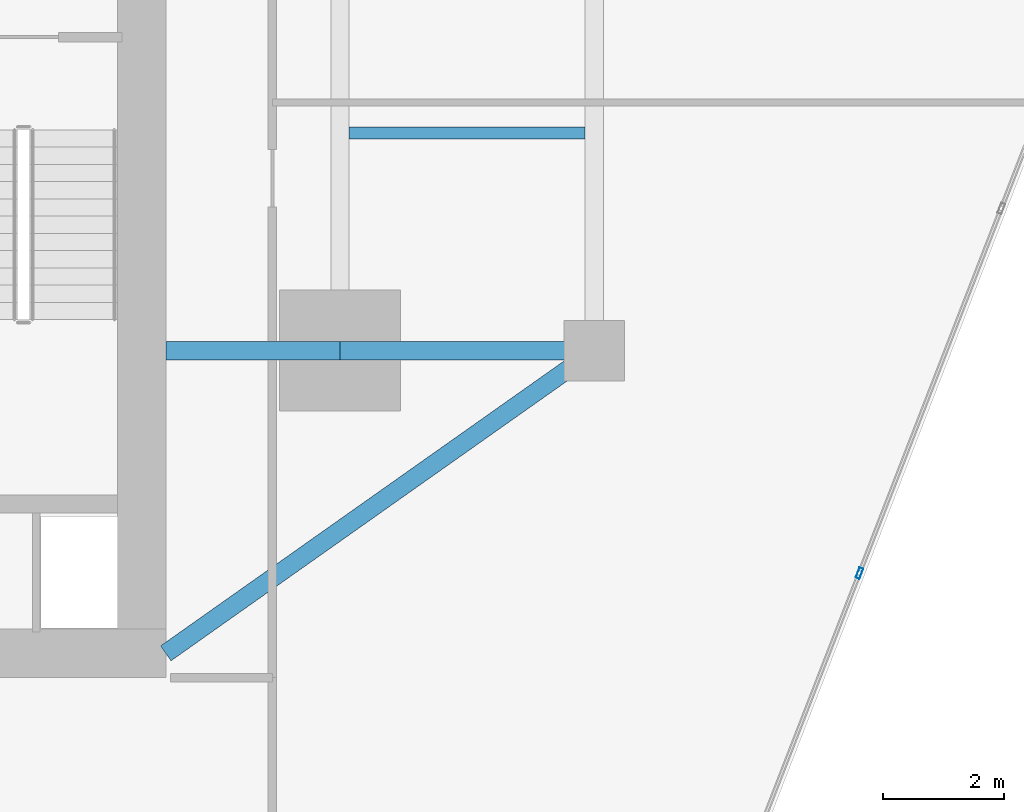
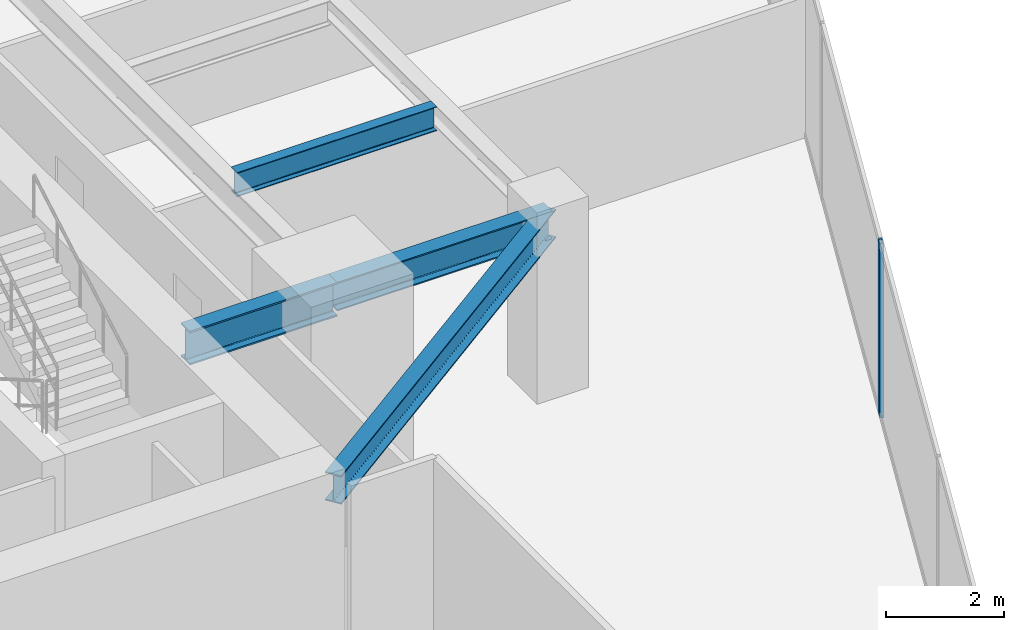
# One storey, part 10 of 26: 4 beams, 1 member, 1 element without a shape of its own.
"""IFC4 building model written with IfcOpenShell, lengths in metres."""

from ifc_helpers import new_model, si_unit, direction, frame, origin, origin_2d, place, context, subcontext, project, spatial, hollow_rectangle, i_section, extrude, source, transform, mapped, material, material_profile, profile_set, type_object, type_shapes, element, aggregate, save


model = new_model("IFC4")

# Units and contexts
model_context = context("Model", 3, precision=1e-05, world=origin(), true_north=direction((0.0, 1.0)))
body_context = subcontext(model_context, "Body", "Model", "MODEL_VIEW")
ifc_project = project(units=[si_unit("LENGTHUNIT", "METRE"), si_unit("AREAUNIT", "SQUARE_METRE"), si_unit("VOLUMEUNIT", "CUBIC_METRE"), si_unit("PLANEANGLEUNIT", "RADIAN"), si_unit("MASSUNIT", "GRAM", prefix="KILO")], contexts=[model_context])

# Site, building, storey
site_placement = place(None, origin())
site = spatial("IfcSite", under=ifc_project, at=site_placement, CompositionType="ELEMENT")
building_placement = place(site_placement, origin())
building = spatial("IfcBuilding", under=site, at=building_placement, Name="Krantzveldt Concourse Tower", CompositionType="ELEMENT")
storey_placement = place(building_placement, frame((0.0, 0.0, 137.449951171875)))
storey = spatial("IfcBuildingStorey", under=building, at=storey_placement, Name="L33", CompositionType="ELEMENT", Elevation=137.449951171875)

# Beams
ifc_material_1 = material(Name="Steel S355J2", Category="steel")
ifc_material_profile_1 = material_profile(ifc_material_1, i_section(OverallWidth=0.300048828125, OverallDepth=0.699951171875, WebThickness=0.01708984375, FlangeThickness=0.031982421875, FilletRadius=0.027099609375, at=origin_2d()), Name="Steel S355J2", Category="steel")
ifc_profile_set_1 = profile_set([ifc_material_profile_1], Name="Steel S355J2 - HEB 700")
beam_type_1 = type_object("IfcBeamType", Name="BM-B-HEB700", PredefinedType="BEAM", material=ifc_profile_set_1)
shared_shape_1 = source(origin(), body_context, "Body", "SweptSolid", [
    extrude(i_section(OverallWidth=0.300048828125, OverallDepth=0.699951171875, WebThickness=0.01708984375, FlangeThickness=0.031982421875, FilletRadius=0.027099609375, at=origin_2d()), origin(), (0.0, 0.0, 1.0), 2.880126953125),
])
type_shapes(beam_type_1, [shared_shape_1])
beam_1_placement = place(storey_placement, frame((43.919921875, 15.89990234375, 3.25), z_axis=(1.0, 0.0, 0.0), x_axis=(0.0, 1.0, 0.0)))
element("IfcBeam", 1, at=beam_1_placement, inside=storey, type_object=beam_type_1, Name="L33 Tower Girder BG-CE1", PredefinedType="BEAM", context=body_context, shape_type="MappedRepresentation", body=[
    mapped(shared_shape_1, transform((0.0, 0.0, 0.0), x_axis=(1.0, 0.0, 0.0), y_axis=(0.0, 1.0, 0.0), z_axis=(0.0, 0.0, 1.0), scale=1.0)),
])
ifc_material_2 = material(Name="Steel S355JR", Category="steel")
ifc_material_profile_2 = material_profile(ifc_material_2, i_section(OverallWidth=0.300048828125, OverallDepth=0.590087890625, WebThickness=0.012939453125, FlangeThickness=0.02490234375, FilletRadius=0.027099609375, at=origin_2d()), Name="Steel S355JR", Category="steel")
ifc_profile_set_2 = profile_set([ifc_material_profile_2], Name="Steel S355JR - HEA 600")
beam_type_2 = type_object("IfcBeamType", Name="BM-B-HEA600", PredefinedType="BEAM", material=ifc_profile_set_2)
shared_shape_2 = source(origin(), body_context, "Body", "SweptSolid", [
    extrude(i_section(OverallWidth=0.300048828125, OverallDepth=0.590087890625, WebThickness=0.012939453125, FlangeThickness=0.02490234375, FilletRadius=0.027099609375, at=origin_2d()), origin(), (0.0, 0.0, 1.0), 4.199951171875),
])
beam_2_placement = place(storey_placement, frame((46.800048828125, 15.89990234375, 3.304931640625), z_axis=(1.0, 0.0, 0.0), x_axis=(0.0, 1.0, 0.0)))
element("IfcBeam", 2, at=beam_2_placement, inside=storey, type_object=beam_type_2, Name="L33 Tower Girder BR-RR1", PredefinedType="BEAM", context=body_context, shape_type="MappedRepresentation", body=[
    mapped(shared_shape_2, transform((0.0, 0.0, 0.0), x_axis=(1.0, 0.0, 0.0), y_axis=(0.0, 1.0, 0.0), z_axis=(0.0, 0.0, 1.0), scale=1.0)),
])
shared_shape_3 = source(origin(), body_context, "Body", "SweptSolid", [
    extrude(i_section(OverallWidth=0.300048828125, OverallDepth=0.590087890625, WebThickness=0.012939453125, FlangeThickness=0.02490234375, FilletRadius=0.027099609375, at=origin_2d()), origin(), (0.0, 0.0, 1.0), 8.667724609375),
])
type_shapes(beam_type_2, [shared_shape_2, shared_shape_3])
beam_3_placement = place(storey_placement, frame((51.0, 15.89990234375, 3.304931640625), z_axis=(-0.81684294656, -0.576860122261, 0.0), x_axis=(0.576860122261, -0.81684294656, 0.0)))
element("IfcBeam", 3, at=beam_3_placement, inside=storey, type_object=beam_type_2, Name="L33 Tower Girder BR-CSE", PredefinedType="BEAM", context=body_context, shape_type="MappedRepresentation", body=[
    mapped(shared_shape_3, transform((0.0, 0.0, 0.0), x_axis=(1.0, 0.0, 0.0), y_axis=(0.0, 1.0, 0.0), z_axis=(0.0, 0.0, 1.0), scale=1.0)),
])
ifc_material_profile_3 = material_profile(ifc_material_2, i_section(OverallWidth=0.199951171875, OverallDepth=0.5, WebThickness=0.01025390625, FlangeThickness=0.01611328125, FilletRadius=0.02099609375, at=origin_2d()), Name="Steel S355JR", Category="steel")
ifc_profile_set_3 = profile_set([ifc_material_profile_3], Name="Steel S355JR - IPE 500")
beam_type_3 = type_object("IfcBeamType", Name="BM-J-IPE500", PredefinedType="JOIST", material=ifc_profile_set_3)
shared_shape_4 = source(origin(), body_context, "Body", "SweptSolid", [
    extrude(i_section(OverallWidth=0.199951171875, OverallDepth=0.5, WebThickness=0.01025390625, FlangeThickness=0.01611328125, FilletRadius=0.02099609375, at=origin_2d()), origin(), (0.0, 0.0, 1.0), 3.900146484375),
])
type_shapes(beam_type_3, [shared_shape_4])
beam_4_placement = place(storey_placement, frame((46.949951171875, 19.5, 3.35009765625), z_axis=(1.0, 0.0, 0.0), x_axis=(0.0, 1.0, 0.0)))
element("IfcBeam", 4, at=beam_4_placement, inside=storey, type_object=beam_type_3, Name="L33 Secondary Floor Joist JE-1", PredefinedType="JOIST", context=body_context, shape_type="MappedRepresentation", body=[
    mapped(shared_shape_4, transform((0.0, 0.0, 0.0), x_axis=(1.0, 0.0, 0.0), y_axis=(0.0, 1.0, 0.0), z_axis=(0.0, 0.0, 1.0), scale=1.0)),
])

# Curtain wall, member
ifc_material_3 = material(Name="Anodised aluminium 6063-T6", Category="aluminium")
curtain_wall_type = type_object("IfcCurtainWallType", Name="CW2", PredefinedType="USERDEFINED", material=ifc_material_3)
curtain_wall_placement = place(storey_placement, origin())
curtain_wall = element("IfcCurtainWall", 5, at=curtain_wall_placement, inside=storey, type_object=curtain_wall_type, Name="CW-L33-F11", ObjectType="UNITISED CURTAIN WALL", PredefinedType="USERDEFINED")
ifc_material_profile_4 = material_profile(ifc_material_3, hollow_rectangle(XDim=0.070068359375, YDim=0.179931640625, WallThickness=0.0048828125, at=origin_2d()), Name="Anodised aluminium 6063-T6", Category="aluminium")
ifc_profile_set_4 = profile_set([ifc_material_profile_4], Name="Anodised aluminium 6063-T6 - ALU-MULL 180x70x5")
member_type = type_object("IfcMemberType", Name="CW-MUL-180", PredefinedType="MULLION", material=ifc_profile_set_4)
shared_shape_5 = source(origin(), body_context, "Body", "SweptSolid", [
    extrude(hollow_rectangle(XDim=0.070068359375, YDim=0.179931640625, WallThickness=0.0048828125, at=origin_2d()), origin(), (0.0, 0.0, 1.0), 3.60009765625),
])
type_shapes(member_type, [shared_shape_5])
member_placement = place(storey_placement, frame((55.38134765625, 12.224609375, 0.0), z_axis=(0.0, 0.0, 1.0), x_axis=(-0.93200790248, 0.362437952917, 0.0)))
member = element("IfcMember", 6, at=member_placement, type_object=member_type, Name="CW-Z12 mullion 3", PredefinedType="MULLION", context=body_context, shape_type="MappedRepresentation", body=[
    mapped(shared_shape_5, transform((0.0, 0.0, 0.0), x_axis=(1.0, 0.0, 0.0), y_axis=(0.0, 1.0, 0.0), z_axis=(0.0, 0.0, 1.0), scale=1.0)),
])
aggregate(curtain_wall, [member])

save(model, "model.ifc")
